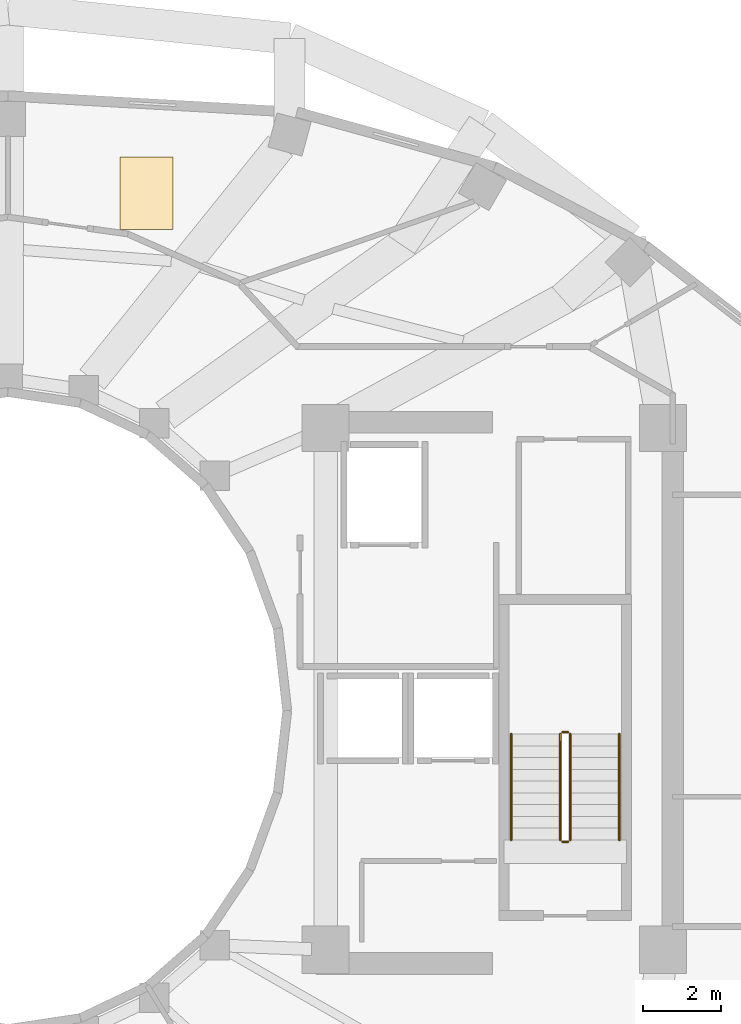
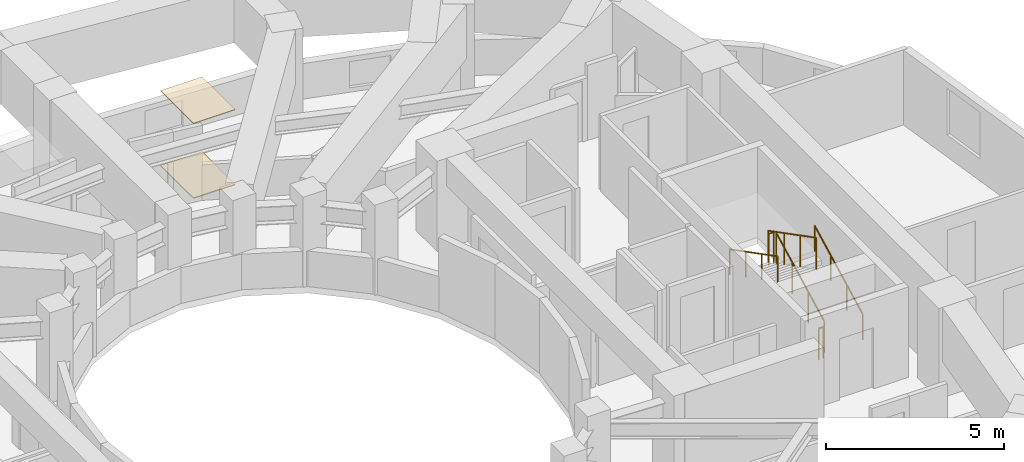
# One storey, part 9 of 9: 6 railings, 2 coverings.
"""IFC4 building model written with IfcOpenShell, lengths in metres."""

from ifc_helpers import new_model, si_unit, direction, frame, origin, origin_2d, place, context, subcontext, project, spatial, polyline, circle, outline, extrude, material, layer, layer_set, type_object, element, save


model = new_model("IFC4")

# Units and contexts
model_context = context("Model", 3, precision=1e-05, world=origin(), true_north=direction((0.0, 1.0)))
body_context = subcontext(model_context, "Body", "Model", "MODEL_VIEW")
ifc_project = project(units=[si_unit("LENGTHUNIT", "METRE"), si_unit("AREAUNIT", "SQUARE_METRE"), si_unit("VOLUMEUNIT", "CUBIC_METRE"), si_unit("PLANEANGLEUNIT", "RADIAN"), si_unit("MASSUNIT", "GRAM", prefix="KILO")], contexts=[model_context])

# Site, building, storey
site_placement = place(None, origin())
site = spatial("IfcSite", under=ifc_project, at=site_placement, CompositionType="ELEMENT")
building_placement = place(site_placement, origin())
building = spatial("IfcBuilding", under=site, at=building_placement, Name="Solvane Sanctuary Tower", CompositionType="ELEMENT")
storey_placement = place(building_placement, frame((0.0, 0.0, 177.699951171875)))
storey = spatial("IfcBuildingStorey", under=building, at=storey_placement, Name="L54", CompositionType="ELEMENT", Elevation=177.699951171875)

# Coverings
ifc_material_1 = material(Name="Acoustic Gypsum Partition Board")
ifc_layer_1 = layer(ifc_material_1, 0.02490234375, Name="Acoustic Gypsum Partition Board")
ifc_layer_set_1 = layer_set([ifc_layer_1], Name="Acoustic Gypsum Partition Board")
covering_type_1 = type_object("IfcCoveringType", Name="Covering CLG-ACOUST", PredefinedType="CEILING", material=ifc_layer_set_1)
covering_1_placement = place(storey_placement, frame((0.0, 0.0, 2.570068359375)))
element("IfcCovering", 1, at=covering_1_placement, inside=storey, type_object=covering_type_1, Name="L54 Unit Acoustic Ceiling Panel 1", PredefinedType="CEILING", context=body_context, shape_type="SweptSolid", body=[
    extrude(outline(polyline([(34.85791015625, 35.260009765625), (36.2080078125, 35.260009765625), (36.2080078125, 37.110107421875), (34.85791015625, 37.110107421875), (34.85791015625, 35.260009765625)])), origin(), (0.0, 0.0, 1.0), 0.030029296875),
])
ifc_material_2 = material(Name="Ceramic Tile Finish")
ifc_layer_2 = layer(ifc_material_2, 0.030029296875, Name="Ceramic Tile Finish")
ifc_layer_set_2 = layer_set([ifc_layer_2], Name="Ceramic Tile Finish")
covering_type_2 = type_object("IfcCoveringType", Name="Covering FLR-TERRAZZO", PredefinedType="FLOORING", material=ifc_layer_set_2)
covering_2_placement = place(storey_placement, origin())
element("IfcCovering", 2, at=covering_2_placement, inside=storey, type_object=covering_type_2, Name="L54 Unit Terrazzo Inlay 1", PredefinedType="FLOORING", context=body_context, shape_type="SweptSolid", body=[
    extrude(outline(polyline([(34.85791015625, 35.260009765625), (36.2080078125, 35.260009765625), (36.2080078125, 37.110107421875), (34.85791015625, 37.110107421875), (34.85791015625, 35.260009765625)])), origin(), (0.0, 0.0, 1.0), 0.03515625),
])

# Railings
ifc_material_3 = material(Name="Architectural Stainless Steel 316", Category="steel")
railing_type_1 = type_object("IfcRailingType", Name="Railing GR-BALC-1150", PredefinedType="BALUSTRADE", material=ifc_material_3)
railing_1_placement = place(storey_placement, frame((46.340087890625, 19.699951171875, 0.155029296875)))
element("IfcRailing", 3, at=railing_1_placement, inside=storey, type_object=railing_type_1, Name="L54 ST-2 stair guard 1", PredefinedType="BALUSTRADE", context=body_context, shape_type="SweptSolid", body=[
    extrude(circle(Radius=0.02392578125, at=origin_2d()), frame((0.0, 0.0, 1.076171875), z_axis=(0.0, 0.888419900624, 0.459031676658), x_axis=(-1.0, 0.0, 0.0)), (0.0, 0.0, 1.0), 3.0390625),
    extrude(circle(Radius=0.02099609375, at=origin_2d()), origin(), (0.0, 0.0, 1.0), 1.052001953125),
    extrude(circle(Radius=0.02099609375, at=origin_2d()), frame((0.0, 0.89990234375, 0.465087890625)), (0.0, 0.0, 1.0), 1.052001953125),
    extrude(circle(Radius=0.02099609375, at=origin_2d()), frame((0.0, 1.800048828125, 0.929931640625)), (0.0, 0.0, 1.0), 1.052001953125),
    extrude(circle(Radius=0.02099609375, at=origin_2d()), frame((0.0, 2.699951171875, 1.39501953125)), (0.0, 0.0, 1.0), 1.052001953125),
])
railing_2_placement = place(storey_placement, frame((46.2900390625, 22.449951171875, 1.550048828125)))
element("IfcRailing", 4, at=railing_2_placement, inside=storey, type_object=railing_type_1, Name="L54 ST-2 stair guard 2", PredefinedType="BALUSTRADE", context=body_context, shape_type="SweptSolid", body=[
    extrude(circle(Radius=0.02392578125, at=origin_2d()), frame((0.0, 0.0, 1.076171875), z_axis=(-1.0, 0.0, 0.0), x_axis=(0.0, -1.0, 0.0)), (0.0, 0.0, 1.0), 0.16015625),
    extrude(circle(Radius=0.02099609375, at=origin_2d()), origin(), (0.0, 0.0, 1.0), 1.052001953125),
    extrude(circle(Radius=0.02099609375, at=origin_2d()), frame((-0.16015625, 0.0, 0.0)), (0.0, 0.0, 1.0), 1.052001953125),
])
railing_3_placement = place(storey_placement, frame((46.080078125, 22.39990234375, 1.705078125)))
element("IfcRailing", 5, at=railing_3_placement, inside=storey, type_object=railing_type_1, Name="L54 ST-2 stair guard 3", PredefinedType="BALUSTRADE", context=body_context, shape_type="SweptSolid", body=[
    extrude(circle(Radius=0.02392578125, at=origin_2d()), frame((0.0, 0.0, 1.076171875), z_axis=(0.0, -0.888419900624, 0.459031676658), x_axis=(1.0, 0.0, 0.0)), (0.0, 0.0, 1.0), 3.0390625),
    extrude(circle(Radius=0.02099609375, at=origin_2d()), origin(), (0.0, 0.0, 1.0), 1.052001953125),
    extrude(circle(Radius=0.02099609375, at=origin_2d()), frame((0.0, -0.89990234375, 0.465087890625)), (0.0, 0.0, 1.0), 1.052001953125),
    extrude(circle(Radius=0.02099609375, at=origin_2d()), frame((0.0, -1.800048828125, 0.929931640625)), (0.0, 0.0, 1.0), 1.052001953125),
    extrude(circle(Radius=0.02099609375, at=origin_2d()), frame((0.0, -2.699951171875, 1.39501953125)), (0.0, 0.0, 1.0), 1.052001953125),
])
railing_4_placement = place(storey_placement, frame((46.2900390625, 19.64990234375, 0.0)))
element("IfcRailing", 6, at=railing_4_placement, inside=storey, type_object=railing_type_1, Name="L54 ST-2 stair guard 4", PredefinedType="BALUSTRADE", context=body_context, shape_type="SweptSolid", body=[
    extrude(circle(Radius=0.02392578125, at=origin_2d()), frame((0.0, 0.0, 1.076171875), z_axis=(-1.0, 0.0, 0.0), x_axis=(0.0, -1.0, 0.0)), (0.0, 0.0, 1.0), 0.16015625),
    extrude(circle(Radius=0.02099609375, at=origin_2d()), origin(), (0.0, 0.0, 1.0), 1.052001953125),
    extrude(circle(Radius=0.02099609375, at=origin_2d()), frame((-0.16015625, 0.0, 0.0)), (0.0, 0.0, 1.0), 1.052001953125),
])
railing_type_2 = type_object("IfcRailingType", Name="Railing HR-STAIR-920", PredefinedType="HANDRAIL", material=ifc_material_3)
railing_5_placement = place(storey_placement, frame((47.590087890625, 19.699951171875, 0.155029296875)))
element("IfcRailing", 7, at=railing_5_placement, inside=storey, type_object=railing_type_2, Name="L54 ST-2 stair handrail 1", PredefinedType="HANDRAIL", context=body_context, shape_type="SweptSolid", body=[
    extrude(circle(Radius=0.02392578125, at=origin_2d()), frame((0.0, 0.0, 0.8759765625), z_axis=(0.0, 0.888419900624, 0.459031676658), x_axis=(-1.0, 0.0, 0.0)), (0.0, 0.0, 1.0), 3.0390625),
    extrude(circle(Radius=0.02099609375, at=origin_2d()), origin(), (0.0, 0.0, 1.0), 0.851806640625),
    extrude(circle(Radius=0.02099609375, at=origin_2d()), frame((0.0, 0.89990234375, 0.465087890625)), (0.0, 0.0, 1.0), 0.851806640625),
    extrude(circle(Radius=0.02099609375, at=origin_2d()), frame((0.0, 1.800048828125, 0.929931640625)), (0.0, 0.0, 1.0), 0.851806640625),
    extrude(circle(Radius=0.02099609375, at=origin_2d()), frame((0.0, 2.699951171875, 1.39501953125)), (0.0, 0.0, 1.0), 0.851806640625),
])
railing_6_placement = place(storey_placement, frame((44.830078125, 22.39990234375, 1.705078125)))
element("IfcRailing", 8, at=railing_6_placement, inside=storey, type_object=railing_type_2, Name="L54 ST-2 stair handrail 2", PredefinedType="HANDRAIL", context=body_context, shape_type="SweptSolid", body=[
    extrude(circle(Radius=0.02392578125, at=origin_2d()), frame((0.0, 0.0, 0.8759765625), z_axis=(0.0, -0.888419900624, 0.459031676658), x_axis=(1.0, 0.0, 0.0)), (0.0, 0.0, 1.0), 3.0390625),
    extrude(circle(Radius=0.02099609375, at=origin_2d()), origin(), (0.0, 0.0, 1.0), 0.851806640625),
    extrude(circle(Radius=0.02099609375, at=origin_2d()), frame((0.0, -0.89990234375, 0.465087890625)), (0.0, 0.0, 1.0), 0.851806640625),
    extrude(circle(Radius=0.02099609375, at=origin_2d()), frame((0.0, -1.800048828125, 0.929931640625)), (0.0, 0.0, 1.0), 0.851806640625),
    extrude(circle(Radius=0.02099609375, at=origin_2d()), frame((0.0, -2.699951171875, 1.39501953125)), (0.0, 0.0, 1.0), 0.851806640625),
])

save(model, "model.ifc")
